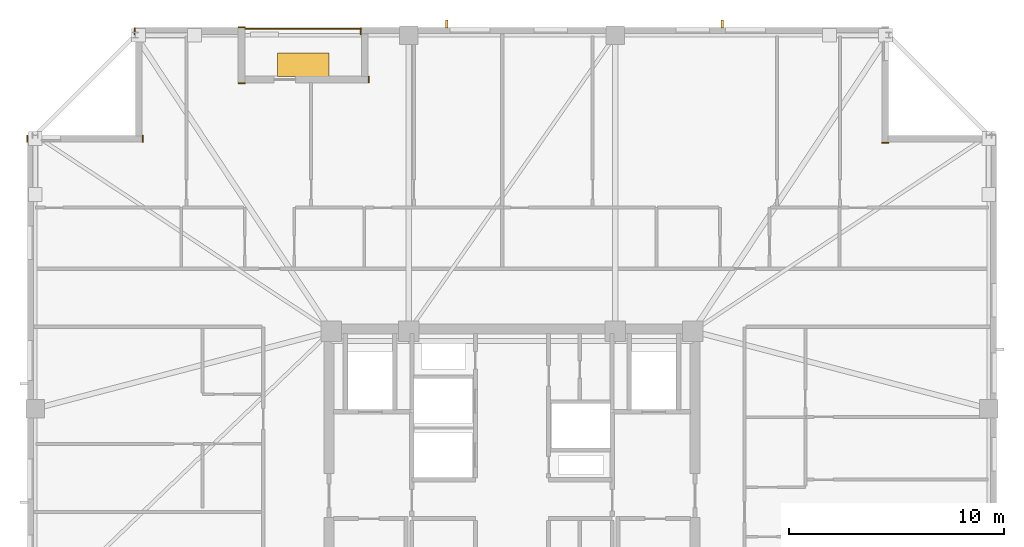
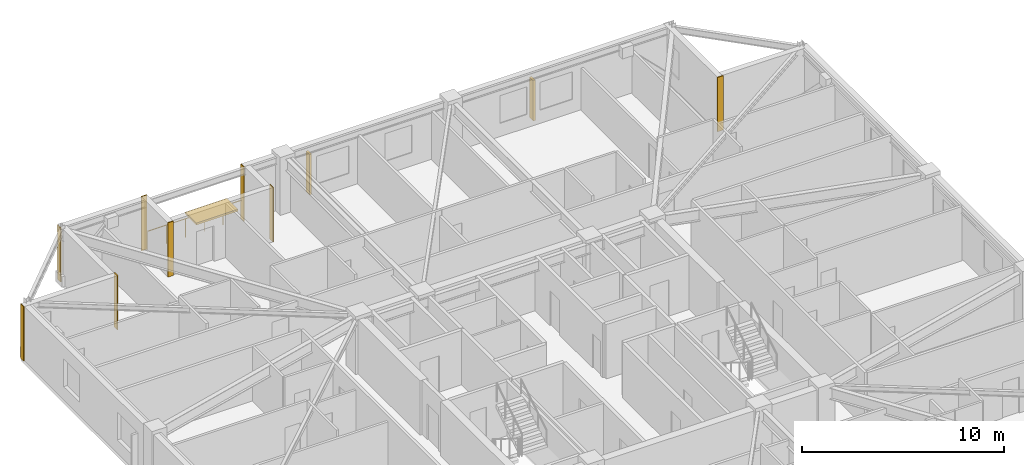
# One storey, part 16 of 17: 8 coverings, 3 shading devices, 1 railing.
"""IFC4 building model written with IfcOpenShell, lengths in metres."""

from ifc_helpers import new_model, si_unit, direction, frame, frame_2d, origin, origin_2d, place, context, subcontext, project, spatial, rectangle, circle, extrude, material, layer, layer_set, type_object, element, save


model = new_model("IFC4")

# Units and contexts
model_context = context("Model", 3, precision=1e-05, world=origin(), true_north=direction((0.0, 1.0)))
body_context = subcontext(model_context, "Body", "Model", "MODEL_VIEW")
ifc_project = project(units=[si_unit("LENGTHUNIT", "METRE"), si_unit("AREAUNIT", "SQUARE_METRE"), si_unit("VOLUMEUNIT", "CUBIC_METRE"), si_unit("PLANEANGLEUNIT", "RADIAN"), si_unit("MASSUNIT", "GRAM", prefix="KILO")], contexts=[model_context])

# Site, building, storey
site_placement = place(None, origin())
site = spatial("IfcSite", under=ifc_project, at=site_placement, CompositionType="ELEMENT")
building_placement = place(site_placement, origin())
building = spatial("IfcBuilding", under=site, at=building_placement, Name="Cairnveth Concourse Tower", CompositionType="ELEMENT")
storey_placement = place(building_placement, frame((0.0, 0.0, 216.5)))
storey = spatial("IfcBuildingStorey", under=building, at=storey_placement, Name="L59", CompositionType="ELEMENT", Elevation=216.5)

# Coverings
ifc_material_1 = material(Name="Dressed Melbourne Bluestone Cladding", Category="masonry")
ifc_layer = layer(ifc_material_1, 0.050048828125)
ifc_layer_set = layer_set([ifc_layer], Name="Dressed Melbourne Bluestone Cladding")
covering_type = type_object("IfcCoveringType", Name="DRESSED BLUESTONE PLINTH CLADDING 50", PredefinedType="CLADDING", material=ifc_layer_set)
for number, where, z_axis, x_axis, name in (
    (1, (44.97998046875, 61.179931640625, 0.0), (0.0, 0.0, 1.0), (0.0, 1.0, 0.0), "Melbourne Bluestone Corner Quoin L59-879"),
    (2, (69.179931640625, 56.159912109375, 0.0), (0.0, 0.0, 1.0), (1.0, 0.0, 0.0), "Melbourne Bluestone Corner Quoin L59-881"),
    (3, (29.47998046875, 56.179931640625, 0.0), (0.0, 0.0, 1.0), (0.0, 1.0, 0.0), "Melbourne Bluestone Corner Quoin L59-889"),
    (4, (34.840087890625, 56.179931640625, 0.0), (0.0, 0.0, 1.0), (0.0, 1.0, 0.0), "Melbourne Bluestone Corner Quoin L59-890"),
    (5, (34.47998046875, 61.179931640625, 0.0), (0.0, 0.0, 1.0), (0.0, 1.0, 0.0), "Melbourne Bluestone Corner Quoin L59-891"),
    (6, (39.280029296875, 61.52001953125, 0.0), (0.0, 0.0, 1.0), (1.0, 0.0, 0.0), "Melbourne Bluestone Corner Quoin L59-892"),
    (7, (39.280029296875, 58.909912109375, 0.0), (0.0, 0.0, 1.0), (1.0, 0.0, 0.0), "Melbourne Bluestone Corner Quoin L59-893"),
    (8, (45.340087890625, 58.929931640625, 0.0), (0.0, 0.0, 1.0), (0.0, 1.0, 0.0), "Melbourne Bluestone Corner Quoin L59-894"),
):
    element("IfcCovering", number, at=place(storey_placement, frame(where, z_axis=z_axis, x_axis=x_axis)), inside=storey, type_object=covering_type, Name=name, PredefinedType="CLADDING", context=body_context, shape_type="SweptSolid", body=[
        extrude(rectangle(XDim=0.320068359375, YDim=0.050048828125, at=frame_2d((0.16015625, 0.0))), origin(), (0.0, 0.0, 1.0), 3.2900390625),
    ])

# Shading devices
ifc_material_2 = material(Name="Architectural Bronze Anodised Aluminium 6063-T6", Category="aluminium")
shading_device_type_1 = type_object("IfcShadingDeviceType", Name="GOTHIC BRONZE VERTICAL LANCET FIN", PredefinedType="USERDEFINED", material=ifc_material_2)
for number, where, z_axis, x_axis, name in (
    (9, (48.965087890625, 61.675048828125, 0.030029296875), (0.0, 0.0, 1.0), (1.0, 0.0, 0.0), "Gothic Bronze Vertical Fin L59-0-1"),
    (10, (61.766845703125, 61.675048828125, 0.030029296875), (0.0, 0.0, 1.0), (1.0, 0.0, 0.0), "Gothic Bronze Vertical Fin L59-0-5"),
):
    element("IfcShadingDevice", number, at=place(storey_placement, frame(where, z_axis=z_axis, x_axis=x_axis)), inside=storey, type_object=shading_device_type_1, Name=name, ObjectType="VERTICAL FIN", PredefinedType="USERDEFINED", context=body_context, shape_type="SweptSolid", body=[
        extrude(rectangle(XDim=0.1201171875, YDim=0.360107421875, at=origin_2d()), origin(), (0.0, 0.0, 1.0), 2.43798828125),
    ])
shading_device_type_2 = type_object("IfcShadingDeviceType", Name="SPIRAL TERRACE SUNSHADE CANOPY", PredefinedType="USERDEFINED", material=ifc_material_2)
shading_device_placement = place(storey_placement, frame((42.300048828125, 59.77001953125, 2.31787109375), z_axis=(0.0, 0.0, 1.0), x_axis=(1.0, 0.0, 0.0)))
element("IfcShadingDevice", 11, at=shading_device_placement, inside=storey, type_object=shading_device_type_2, Name="Spiral Terrace Sunshade L59", ObjectType="TERRACE SUNSHADE", PredefinedType="USERDEFINED", context=body_context, shape_type="SweptSolid", body=[
    extrude(rectangle(XDim=2.39990234375, YDim=1.10009765625, at=origin_2d()), origin(), (0.0, 0.0, 1.0), 0.1201171875),
])

# Railing
railing_type = type_object("IfcRailingType", Name="TERRACE BRONZE BALUSTRADE 1150", PredefinedType="BALUSTRADE", material=ifc_material_2)
railing_placement = place(storey_placement, frame((39.60009765625, 61.43994140625, 0.0)))
element("IfcRailing", 12, at=railing_placement, inside=storey, type_object=railing_type, Name="Terrace Balustrade RL-L59-TERR", PredefinedType="BALUSTRADE", context=body_context, shape_type="SweptSolid", body=[
    extrude(circle(Radius=0.02490234375, at=origin_2d()), frame((0.0, 0.0, 1.125), z_axis=(1.0, 0.0, 0.0), x_axis=(0.0, 1.0, 0.0)), (0.0, 0.0, 1.0), 5.39990234375),
    extrude(circle(Radius=0.02099609375, at=origin_2d()), origin(), (0.0, 0.0, 1.0), 1.099853515625),
    extrude(circle(Radius=0.02099609375, at=origin_2d()), frame((1.080078125, 0.0, 0.0)), (0.0, 0.0, 1.0), 1.099853515625),
    extrude(circle(Radius=0.02099609375, at=origin_2d()), frame((2.159912109375, 0.0, 0.0)), (0.0, 0.0, 1.0), 1.099853515625),
    extrude(circle(Radius=0.02099609375, at=origin_2d()), frame((3.239990234375, 0.0, 0.0)), (0.0, 0.0, 1.0), 1.099853515625),
    extrude(circle(Radius=0.02099609375, at=origin_2d()), frame((4.31982421875, 0.0, 0.0)), (0.0, 0.0, 1.0), 1.099853515625),
    extrude(circle(Radius=0.02099609375, at=origin_2d()), frame((5.39990234375, 0.0, 0.0)), (0.0, 0.0, 1.0), 1.099853515625),
])

save(model, "model.ifc")
